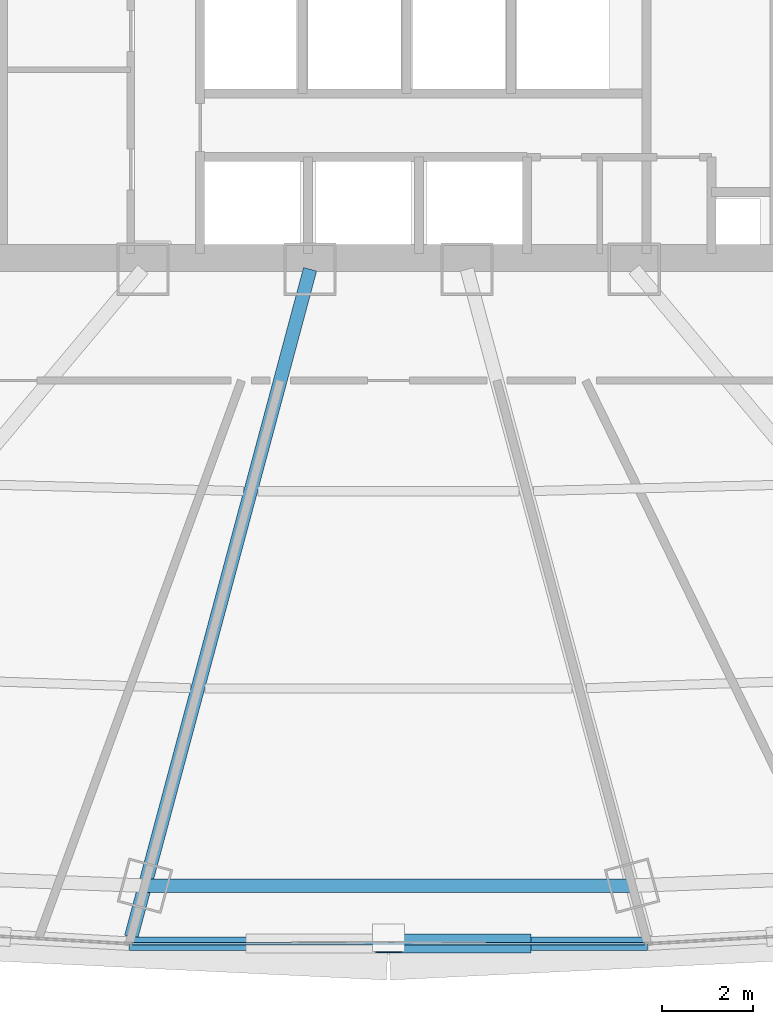
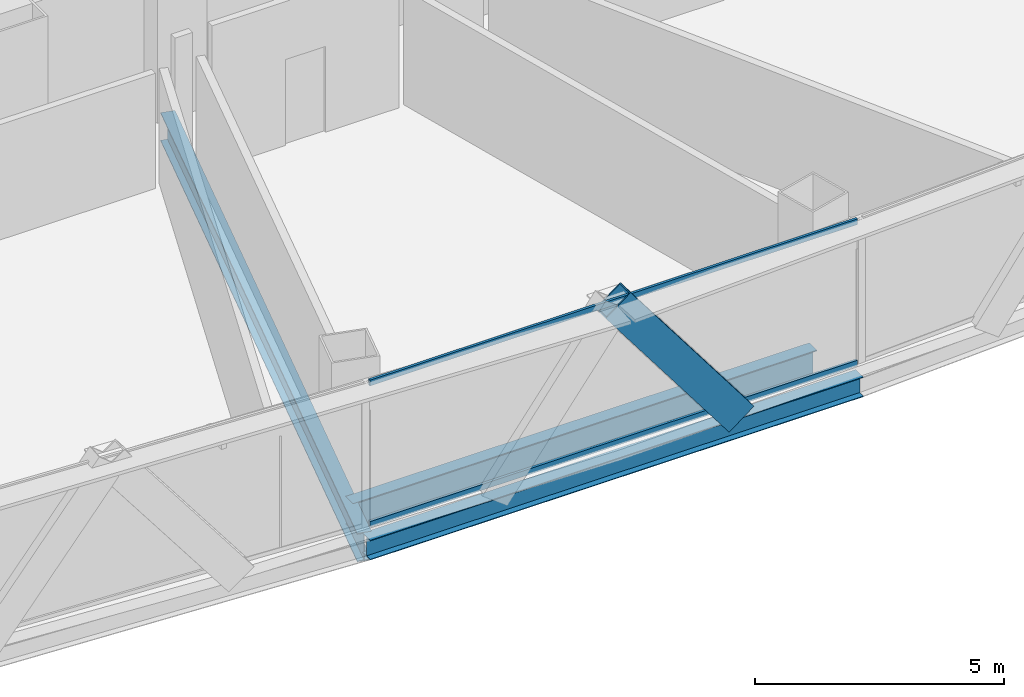
# One storey, part 11 of 41: 3 beams, 3 members, 1 element without a shape of its own.
"""IFC4 building model written with IfcOpenShell, lengths in metres."""

from ifc_helpers import new_model, si_unit, direction, frame, origin, origin_2d, place, context, subcontext, project, spatial, hollow_rectangle, i_section, extrude, source, transform, mapped, material, layer, layer_set, material_profile, profile_set, type_object, element, aggregate, save


model = new_model("IFC4")

# Units and contexts
model_context = context("Model", 3, precision=1e-05, world=origin(), true_north=direction((0.0, 1.0)))
body_context = subcontext(model_context, "Body", "Model", "MODEL_VIEW")
ifc_project = project(units=[si_unit("LENGTHUNIT", "METRE"), si_unit("AREAUNIT", "SQUARE_METRE"), si_unit("VOLUMEUNIT", "CUBIC_METRE"), si_unit("PLANEANGLEUNIT", "RADIAN"), si_unit("MASSUNIT", "GRAM", prefix="KILO"), si_unit("THERMODYNAMICTEMPERATUREUNIT", "KELVIN"), si_unit("POWERUNIT", "WATT")], contexts=[model_context])

# Site, building, storey
site_placement = place(None, origin())
site = spatial("IfcSite", under=ifc_project, at=site_placement, CompositionType="ELEMENT")
building_placement = place(site_placement, origin())
building = spatial("IfcBuilding", under=site, at=building_placement, Name="Yunzhuo Pagoda Commons", CompositionType="ELEMENT")
storey_placement = place(building_placement, frame((0.0, 0.0, 115.3798828125)))
storey = spatial("IfcBuildingStorey", under=building, at=storey_placement, Name="L29", CompositionType="ELEMENT", Elevation=115.3798828125)

# Beams
ifc_material_1 = material(Name="Structural steel Q355B", Category="steel")
ifc_material_profile_1 = material_profile(ifc_material_1, i_section(OverallWidth=0.300048828125, OverallDepth=0.699951171875, WebThickness=0.012939453125, FlangeThickness=0.02392578125, at=origin_2d()), Name="Structural steel Q355B")
ifc_profile_set_1 = profile_set([ifc_material_profile_1], Name="Structural steel Q355B")
beam_type_1 = type_object("IfcBeamType", Name="B-RG1 Beam HN 700x300x13x24", PredefinedType="BEAM", material=ifc_profile_set_1)
shared_shape_1 = source(origin(), body_context, "Body", "SweptSolid", [
    extrude(i_section(OverallWidth=0.300048828125, OverallDepth=0.699951171875, WebThickness=0.012939453125, FlangeThickness=0.02392578125, at=origin_2d()), origin(), (0.0, 0.0, 1.0), 10.73486328125),
])
beam_1_placement = place(storey_placement, frame((42.632568359375, 13.66845703125, -0.609619140625), z_axis=(1.0, 0.0, 0.0), x_axis=(0.0, 1.0, 0.0)))
element("IfcBeam", 1, at=beam_1_placement, inside=storey, type_object=beam_type_1, Name="L29 column-ring beam 2", PredefinedType="BEAM", context=body_context, shape_type="MappedRepresentation", body=[
    mapped(shared_shape_1, transform((0.0, 0.0, 0.0), scale=1.0)),
])
shared_shape_2 = source(origin(), body_context, "Body", "SweptSolid", [
    extrude(i_section(OverallWidth=0.300048828125, OverallDepth=0.699951171875, WebThickness=0.012939453125, FlangeThickness=0.02392578125, at=origin_2d()), origin(), (0.0, 0.0, 1.0), 15.22802734375),
])
beam_2_placement = place(storey_placement, frame((42.330322265625, 12.541015625, -0.609619140625), z_axis=(0.258842934439, 0.965919424844, 0.0), x_axis=(-0.965919424844, 0.258842934439, 0.0)))
element("IfcBeam", 2, at=beam_2_placement, inside=storey, type_object=beam_type_1, Name="L29 radial floor girder F1C2", PredefinedType="BEAM", context=body_context, shape_type="MappedRepresentation", body=[
    mapped(shared_shape_2, transform((0.0, 0.0, 0.0), scale=1.0)),
])
ifc_material_profile_2 = material_profile(ifc_material_1, i_section(OverallWidth=0.300048828125, OverallDepth=0.488037109375, WebThickness=0.010986328125, FlangeThickness=0.01806640625, at=origin_2d()), Name="Structural steel Q355B")
ifc_profile_set_2 = profile_set([ifc_material_profile_2], Name="Structural steel Q355B")
beam_type_2 = type_object("IfcBeamType", Name="B-SP1 Beam HM 488x300x11x18", PredefinedType="BEAM", material=ifc_profile_set_2)
shared_shape_3 = source(origin(), body_context, "Body", "SweptSolid", [
    extrude(i_section(OverallWidth=0.300048828125, OverallDepth=0.488037109375, WebThickness=0.010986328125, FlangeThickness=0.01806640625, at=origin_2d()), origin(), (0.0, 0.0, 1.0), 11.41943359375),
])
beam_3_placement = place(storey_placement, frame((42.290283203125, 12.39111328125, -0.50390625), z_axis=(1.0, 0.0, 0.0), x_axis=(0.0, 1.0, 0.0)))
element("IfcBeam", 3, at=beam_3_placement, inside=storey, type_object=beam_type_2, Name="L29 facade edge spandrel beam F1.2", PredefinedType="BEAM", context=body_context, shape_type="MappedRepresentation", body=[
    mapped(shared_shape_3, transform((0.0, 0.0, 0.0), scale=1.0)),
])

# Member
ifc_material_2 = material(Name="Structural steel Q420B", Category="steel")
ifc_material_profile_3 = material_profile(ifc_material_2, hollow_rectangle(XDim=0.419921875, YDim=0.719970703125, WallThickness=0.028076171875, at=origin_2d()), Name="Structural steel Q420B")
ifc_profile_set_3 = profile_set([ifc_material_profile_3], Name="Structural steel Q420B")
member_type_1 = type_object("IfcMemberType", Name="M-DL1 Brace BOX 720x420x28", PredefinedType="BRACE", material=ifc_profile_set_3)
shared_shape_4 = source(origin(), body_context, "Body", "SweptSolid", [
    extrude(hollow_rectangle(XDim=0.419921875, YDim=0.719970703125, WallThickness=0.028076171875, at=origin_2d()), origin(), (0.0, 0.0, 1.0), 4.73681640625),
])
member_1_placement = place(storey_placement, frame((50.854736328125, 12.39111328125, -0.259765625), z_axis=(-0.602685062575, 0.0, 0.797979144683), x_axis=(0.0, -1.0, 0.0)))
element("IfcMember", 4, at=member_1_placement, inside=storey, type_object=member_type_1, Name="L29 facade diamond brace F1.2R", PredefinedType="BRACE", context=body_context, shape_type="MappedRepresentation", body=[
    mapped(shared_shape_4, transform((0.0, 0.0, 0.0), scale=1.0)),
])

# Curtain wall, members
ifc_material_3 = material(Name="Anodized aluminium 6063-T6", Category="aluminium")
ifc_layer = layer(ifc_material_3, 0.1650390625)
ifc_layer_set = layer_set([ifc_layer], Name="Anodized aluminium 6063-T6")
curtain_wall_type = type_object("IfcCurtainWallType", Name="CW-LOW Low-Zone Ribbon Curtain Wall", PredefinedType="NOTDEFINED", material=ifc_layer_set)
curtain_wall_placement = place(storey_placement, origin())
curtain_wall = element("IfcCurtainWall", 5, at=curtain_wall_placement, inside=storey, type_object=curtain_wall_type, Name="L29 curtain wall CW-L29-F1B3", PredefinedType="NOTDEFINED")
ifc_material_profile_4 = material_profile(ifc_material_3, hollow_rectangle(XDim=0.06005859375, YDim=0.139892578125, WallThickness=0.00341796875, at=origin_2d()), Name="Anodized aluminium 6063-T6")
ifc_profile_set_4 = profile_set([ifc_material_profile_4], Name="Anodized aluminium 6063-T6")
member_type_2 = type_object("IfcMemberType", Name="CW-LOW-T Transom RHS 140x60x3.5", PredefinedType="USERDEFINED", material=ifc_profile_set_4)
shared_shape_5 = source(origin(), body_context, "Body", "SweptSolid", [
    extrude(hollow_rectangle(XDim=0.06005859375, YDim=0.139892578125, WallThickness=0.00341796875, at=origin_2d()), origin(), (0.0, 0.0, 1.0), 11.28955078125),
])
member_2_placement = place(storey_placement, frame((42.355224609375, 12.39111328125, 0.030029296875), z_axis=(1.0, 0.0, 0.0), x_axis=(0.0, 1.0, 0.0)))
member_2 = element("IfcMember", 6, at=member_2_placement, type_object=member_type_2, Name="CW transom 1.1", ObjectType="TRANSOM", PredefinedType="USERDEFINED", context=body_context, shape_type="MappedRepresentation", body=[
    mapped(shared_shape_5, transform((0.0, 0.0, 0.0), scale=1.0)),
])
member_3_placement = place(storey_placement, frame((42.355224609375, 12.39111328125, 3.490234375), z_axis=(1.0, 0.0, 0.0), x_axis=(0.0, 1.0, 0.0)))
member_3 = element("IfcMember", 7, at=member_3_placement, type_object=member_type_2, Name="CW transom 1.2", ObjectType="TRANSOM", PredefinedType="USERDEFINED", context=body_context, shape_type="MappedRepresentation", body=[
    mapped(shared_shape_5, transform((0.0, 0.0, 0.0), scale=1.0)),
])
aggregate(curtain_wall, [member_2, member_3])

save(model, "model.ifc")
